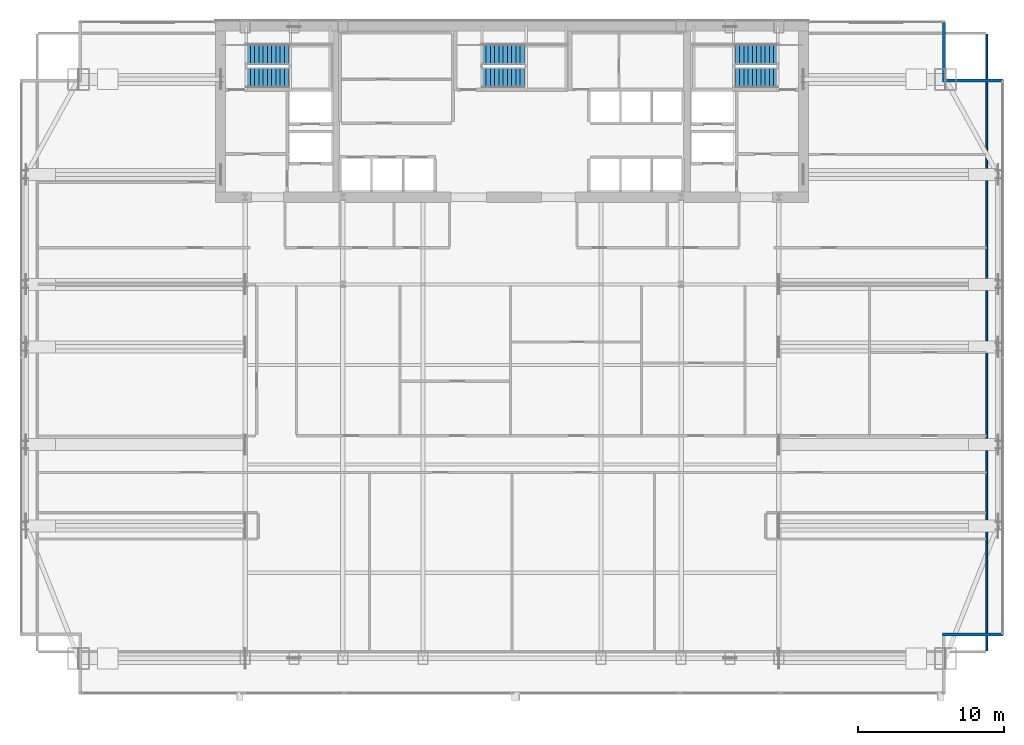
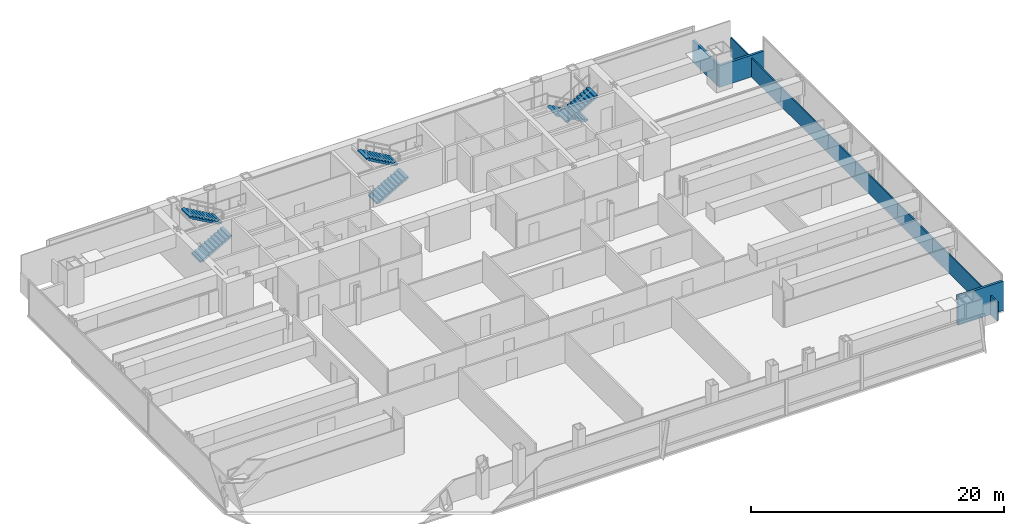
# One storey, part 28 of 30: 6 stair flights, 4 walls, 3 elements without a shape of their own.
"""IFC4 building model written with IfcOpenShell, lengths in metres."""

from ifc_helpers import new_model, si_unit, direction, frame, frame_2d, origin, place, context, subcontext, project, spatial, polyline, rectangle, outline, extrude, material, layer, layer_set, type_object, element, aggregate, save


model = new_model("IFC4")

# Units and contexts
model_context = context("Model", 3, precision=1e-05, world=origin(), true_north=direction((0.0, 1.0)))
body_context = subcontext(model_context, "Body", "Model", "MODEL_VIEW")
ifc_project = project(units=[si_unit("LENGTHUNIT", "METRE"), si_unit("AREAUNIT", "SQUARE_METRE"), si_unit("VOLUMEUNIT", "CUBIC_METRE"), si_unit("PLANEANGLEUNIT", "RADIAN"), si_unit("MASSUNIT", "GRAM", prefix="KILO")], contexts=[model_context])

# Site, building, storey
site_placement = place(None, origin())
site = spatial("IfcSite", under=ifc_project, at=site_placement, CompositionType="ELEMENT")
building_placement = place(site_placement, origin())
building = spatial("IfcBuilding", under=site, at=building_placement, Name="Khoronbel Lancet Exchange", CompositionType="ELEMENT")
storey_placement = place(building_placement, frame((0.0, 0.0, 132.60009765625)))
storey = spatial("IfcBuildingStorey", under=building, at=storey_placement, Name="L32", CompositionType="ELEMENT", Elevation=132.60009765625)

# Walls
ifc_material_1 = material(Name="Precast concrete C40/50", Category="concrete")
ifc_layer_1 = layer(ifc_material_1, 0.25, Name="Precast concrete C40/50")
ifc_layer_set_1 = layer_set([ifc_layer_1], Name="Precast concrete C40/50")
wall_type_1 = type_object("IfcWallType", Name="WL-EXT250", PredefinedType="SOLIDWALL", material=ifc_layer_set_1)
wall_1_placement = place(storey_placement, frame((65.9599609375, 53.6298828125, 0.0), z_axis=(0.0, 0.0, 1.0), x_axis=(0.0, -1.0, 0.0)))
element("IfcWall", 1, at=wall_1_placement, inside=storey, type_object=wall_type_1, Name="Level L32 notched-corner limestone pier 07", PredefinedType="SOLIDWALL", context=body_context, shape_type="SweptSolid", body=[
    extrude(rectangle(XDim=3.909912109375, YDim=0.219970703125, at=frame_2d((1.955078125, 0.0))), origin(), (0.0, 0.0, 1.0), 2.08984375),
])
wall_2_placement = place(storey_placement, frame((65.85009765625, 49.610107421875, 0.0), z_axis=(0.0, 0.0, 1.0), x_axis=(1.0, 0.0, 0.0)))
element("IfcWall", 2, at=wall_2_placement, inside=storey, type_object=wall_type_1, Name="Level L32 notched-corner limestone pier 08", PredefinedType="SOLIDWALL", context=body_context, shape_type="SweptSolid", body=[
    extrude(rectangle(XDim=4.1298828125, YDim=0.219970703125, at=frame_2d((2.06494140625, 0.0))), origin(), (0.0, 0.0, 1.0), 2.08984375),
])
wall_3_placement = place(storey_placement, frame((69.97998046875, 11.7900390625, 0.0), z_axis=(0.0, 0.0, 1.0), x_axis=(-1.0, 0.0, 0.0)))
element("IfcWall", 3, at=wall_3_placement, inside=storey, type_object=wall_type_1, Name="Level L32 notched-corner limestone pier 10", PredefinedType="SOLIDWALL", context=body_context, shape_type="SweptSolid", body=[
    extrude(rectangle(XDim=4.1298828125, YDim=0.219970703125, at=frame_2d((2.06494140625, 0.0))), origin(), (0.0, 0.0, 1.0), 2.829833984375),
])
ifc_material_2 = material(Name="Acoustic Metal-Stud & Mineral-Wool Gypsum Partition 120 mm", Category="gypsum")
ifc_layer_2 = layer(ifc_material_2, 0.1201171875, Name="Acoustic Metal-Stud & Mineral-Wool Gypsum Partition 120 mm")
ifc_layer_set_2 = layer_set([ifc_layer_2], Name="Acoustic Metal-Stud & Mineral-Wool Gypsum Partition 120 mm")
wall_type_2 = type_object("IfcWallType", Name="WL-PRT120", PredefinedType="PARTITIONING", material=ifc_layer_set_2)
wall_4_placement = place(storey_placement, frame((68.8701171875, 10.6650390625, 0.0), z_axis=(0.0, 0.0, 1.0), x_axis=(0.0, 1.0, 0.0)))
element("IfcWall", 4, at=wall_4_placement, inside=storey, type_object=wall_type_2, Name="Level L32 interior partition PW-LIN-E", PredefinedType="PARTITIONING", context=body_context, shape_type="SweptSolid", body=[
    extrude(rectangle(XDim=42.10986328125, YDim=0.1201171875, at=frame_2d((21.054931640625, 0.0))), origin(), (0.0, 0.0, 1.0), 1.829833984375),
])

# Stair, stair flights
ifc_material_3 = material(Name="Concrete C40/50", Category="concrete")
stair_type = type_object("IfcStairType", Name="STR-CORE150", PredefinedType="HALF_TURN_STAIR", material=ifc_material_3)
stair_1_placement = place(storey_placement, origin())
stair_1 = element("IfcStair", 5, at=stair_1_placement, inside=storey, type_object=stair_type, Name="L32 Protected Exit Stair ST1", PredefinedType="HALF_TURN_STAIR")
stair_flight_type = type_object("IfcStairFlightType", Name="STF-150", PredefinedType="STRAIGHT", material=ifc_material_3)
stair_flight_1_placement = place(storey_placement, frame((18.300048828125, 49.81005859375, 0.0), z_axis=(0.0, 0.0, 1.0), x_axis=(1.0, 0.0, 0.0)))
stair_flight_1 = element("IfcStairFlight", 6, at=stair_flight_1_placement, type_object=stair_flight_type, Name="ST1 flight 1", NumberOfRisers=11, NumberOfTreads=10, PredefinedType="STRAIGHT", RiserHeight=0.163636364, TreadLength=0.29, context=body_context, shape_type="SweptSolid", body=[
    extrude(outline(polyline([(0.0, 0.0), (0.0, 0.16357421875), (0.2900390625, 0.16357421875), (0.2900390625, 0.327392578125), (0.580078125, 0.327392578125), (0.580078125, 0.490966796875), (0.8701171875, 0.490966796875), (0.8701171875, 0.654541015625), (1.159912109375, 0.654541015625), (1.159912109375, 0.818115234375), (1.449951171875, 0.818115234375), (1.449951171875, 0.98193359375), (1.739990234375, 0.98193359375), (1.739990234375, 1.1455078125), (2.030029296875, 1.1455078125), (2.030029296875, 1.30908203125), (2.320068359375, 1.30908203125), (2.320068359375, 1.47265625), (2.610107421875, 1.47265625), (2.610107421875, 1.636474609375), (2.89990234375, 1.636474609375), (2.89990234375, 1.800048828125), (2.89990234375, 1.46435546875), (0.304931640625, 0.0), (0.0, 0.0)])), frame((0.0, 0.68994140625, 0.0), z_axis=(0.0, -1.0, 0.0), x_axis=(1.0, 0.0, 0.0)), (0.0, 0.0, 1.0), 1.3798828125),
])
stair_flight_2_placement = place(storey_placement, frame((21.199951171875, 51.409912109375, 1.7998046875), z_axis=(0.0, 0.0, 1.0), x_axis=(-1.0, 0.0, 0.0)))
stair_flight_2 = element("IfcStairFlight", 7, at=stair_flight_2_placement, type_object=stair_flight_type, Name="ST1 flight 2", NumberOfRisers=11, NumberOfTreads=10, PredefinedType="STRAIGHT", RiserHeight=0.163636364, TreadLength=0.29, context=body_context, shape_type="SweptSolid", body=[
    extrude(outline(polyline([(0.0, 0.0), (0.0, 0.16357421875), (0.2900390625, 0.16357421875), (0.2900390625, 0.327392578125), (0.580078125, 0.327392578125), (0.580078125, 0.490966796875), (0.8701171875, 0.490966796875), (0.8701171875, 0.654541015625), (1.159912109375, 0.654541015625), (1.159912109375, 0.818115234375), (1.449951171875, 0.818115234375), (1.449951171875, 0.98193359375), (1.739990234375, 0.98193359375), (1.739990234375, 1.1455078125), (2.030029296875, 1.1455078125), (2.030029296875, 1.30908203125), (2.320068359375, 1.30908203125), (2.320068359375, 1.47265625), (2.610107421875, 1.47265625), (2.610107421875, 1.636474609375), (2.89990234375, 1.636474609375), (2.89990234375, 1.800048828125), (2.89990234375, 1.46435546875), (0.304931640625, 0.0), (0.0, 0.0)])), frame((0.0, 0.68994140625, 0.0), z_axis=(0.0, -1.0, 0.0), x_axis=(1.0, 0.0, 0.0)), (0.0, 0.0, 1.0), 1.3798828125),
])
aggregate(stair_1, [stair_flight_1, stair_flight_2])

stair_2_placement = place(storey_placement, origin())
stair_2 = element("IfcStair", 8, at=stair_2_placement, inside=storey, type_object=stair_type, Name="L32 Protected Exit Stair ST2", PredefinedType="HALF_TURN_STAIR")
stair_flight_3_placement = place(storey_placement, frame((54.60009765625, 51.409912109375, 0.0), z_axis=(0.0, 0.0, 1.0), x_axis=(-1.0, 0.0, 0.0)))
stair_flight_3 = element("IfcStairFlight", 9, at=stair_flight_3_placement, type_object=stair_flight_type, Name="ST2 flight 1", NumberOfRisers=11, NumberOfTreads=10, PredefinedType="STRAIGHT", RiserHeight=0.163636364, TreadLength=0.29, context=body_context, shape_type="SweptSolid", body=[
    extrude(outline(polyline([(0.0, 0.0), (0.0, 0.16357421875), (0.2900390625, 0.16357421875), (0.2900390625, 0.327392578125), (0.580078125, 0.327392578125), (0.580078125, 0.490966796875), (0.8701171875, 0.490966796875), (0.8701171875, 0.654541015625), (1.159912109375, 0.654541015625), (1.159912109375, 0.818115234375), (1.449951171875, 0.818115234375), (1.449951171875, 0.98193359375), (1.739990234375, 0.98193359375), (1.739990234375, 1.1455078125), (2.030029296875, 1.1455078125), (2.030029296875, 1.30908203125), (2.320068359375, 1.30908203125), (2.320068359375, 1.47265625), (2.610107421875, 1.47265625), (2.610107421875, 1.636474609375), (2.89990234375, 1.636474609375), (2.89990234375, 1.800048828125), (2.89990234375, 1.46435546875), (0.304931640625, 0.0), (0.0, 0.0)])), frame((0.0, 0.68994140625, 0.0), z_axis=(0.0, -1.0, 0.0), x_axis=(1.0, 0.0, 0.0)), (0.0, 0.0, 1.0), 1.3798828125),
])
stair_flight_4_placement = place(storey_placement, frame((51.699951171875, 49.81005859375, 1.7998046875), z_axis=(0.0, 0.0, 1.0), x_axis=(1.0, 0.0, 0.0)))
stair_flight_4 = element("IfcStairFlight", 10, at=stair_flight_4_placement, type_object=stair_flight_type, Name="ST2 flight 2", NumberOfRisers=11, NumberOfTreads=10, PredefinedType="STRAIGHT", RiserHeight=0.163636364, TreadLength=0.29, context=body_context, shape_type="SweptSolid", body=[
    extrude(outline(polyline([(0.0, 0.0), (0.0, 0.16357421875), (0.2900390625, 0.16357421875), (0.2900390625, 0.327392578125), (0.580078125, 0.327392578125), (0.580078125, 0.490966796875), (0.8701171875, 0.490966796875), (0.8701171875, 0.654541015625), (1.159912109375, 0.654541015625), (1.159912109375, 0.818115234375), (1.449951171875, 0.818115234375), (1.449951171875, 0.98193359375), (1.739990234375, 0.98193359375), (1.739990234375, 1.1455078125), (2.030029296875, 1.1455078125), (2.030029296875, 1.30908203125), (2.320068359375, 1.30908203125), (2.320068359375, 1.47265625), (2.610107421875, 1.47265625), (2.610107421875, 1.636474609375), (2.89990234375, 1.636474609375), (2.89990234375, 1.800048828125), (2.89990234375, 1.46435546875), (0.304931640625, 0.0), (0.0, 0.0)])), frame((0.0, 0.68994140625, 0.0), z_axis=(0.0, -1.0, 0.0), x_axis=(1.0, 0.0, 0.0)), (0.0, 0.0, 1.0), 1.3798828125),
])
aggregate(stair_2, [stair_flight_3, stair_flight_4])

stair_3_placement = place(storey_placement, origin())
stair_3 = element("IfcStair", 11, at=stair_3_placement, inside=storey, type_object=stair_type, Name="L32 Protected Exit Stair ST3", PredefinedType="HALF_TURN_STAIR")
stair_flight_5_placement = place(storey_placement, frame((34.39990234375, 49.81005859375, 0.0), z_axis=(0.0, 0.0, 1.0), x_axis=(1.0, 0.0, 0.0)))
stair_flight_5 = element("IfcStairFlight", 12, at=stair_flight_5_placement, type_object=stair_flight_type, Name="ST3 flight 1", NumberOfRisers=11, NumberOfTreads=10, PredefinedType="STRAIGHT", RiserHeight=0.163636364, TreadLength=0.29, context=body_context, shape_type="SweptSolid", body=[
    extrude(outline(polyline([(0.0, 0.0), (0.0, 0.16357421875), (0.2900390625, 0.16357421875), (0.2900390625, 0.327392578125), (0.580078125, 0.327392578125), (0.580078125, 0.490966796875), (0.8701171875, 0.490966796875), (0.8701171875, 0.654541015625), (1.159912109375, 0.654541015625), (1.159912109375, 0.818115234375), (1.449951171875, 0.818115234375), (1.449951171875, 0.98193359375), (1.739990234375, 0.98193359375), (1.739990234375, 1.1455078125), (2.030029296875, 1.1455078125), (2.030029296875, 1.30908203125), (2.320068359375, 1.30908203125), (2.320068359375, 1.47265625), (2.610107421875, 1.47265625), (2.610107421875, 1.636474609375), (2.89990234375, 1.636474609375), (2.89990234375, 1.800048828125), (2.89990234375, 1.46435546875), (0.304931640625, 0.0), (0.0, 0.0)])), frame((0.0, 0.68994140625, 0.0), z_axis=(0.0, -1.0, 0.0), x_axis=(1.0, 0.0, 0.0)), (0.0, 0.0, 1.0), 1.3798828125),
])
stair_flight_6_placement = place(storey_placement, frame((37.300048828125, 51.409912109375, 1.7998046875), z_axis=(0.0, 0.0, 1.0), x_axis=(-1.0, 0.0, 0.0)))
stair_flight_6 = element("IfcStairFlight", 13, at=stair_flight_6_placement, type_object=stair_flight_type, Name="ST3 flight 2", NumberOfRisers=11, NumberOfTreads=10, PredefinedType="STRAIGHT", RiserHeight=0.163636364, TreadLength=0.29, context=body_context, shape_type="SweptSolid", body=[
    extrude(outline(polyline([(0.0, 0.0), (0.0, 0.16357421875), (0.2900390625, 0.16357421875), (0.2900390625, 0.327392578125), (0.580078125, 0.327392578125), (0.580078125, 0.490966796875), (0.8701171875, 0.490966796875), (0.8701171875, 0.654541015625), (1.159912109375, 0.654541015625), (1.159912109375, 0.818115234375), (1.449951171875, 0.818115234375), (1.449951171875, 0.98193359375), (1.739990234375, 0.98193359375), (1.739990234375, 1.1455078125), (2.030029296875, 1.1455078125), (2.030029296875, 1.30908203125), (2.320068359375, 1.30908203125), (2.320068359375, 1.47265625), (2.610107421875, 1.47265625), (2.610107421875, 1.636474609375), (2.89990234375, 1.636474609375), (2.89990234375, 1.800048828125), (2.89990234375, 1.46435546875), (0.304931640625, 0.0), (0.0, 0.0)])), frame((0.0, 0.68994140625, 0.0), z_axis=(0.0, -1.0, 0.0), x_axis=(1.0, 0.0, 0.0)), (0.0, 0.0, 1.0), 1.3798828125),
])
aggregate(stair_3, [stair_flight_5, stair_flight_6])

save(model, "model.ifc")
